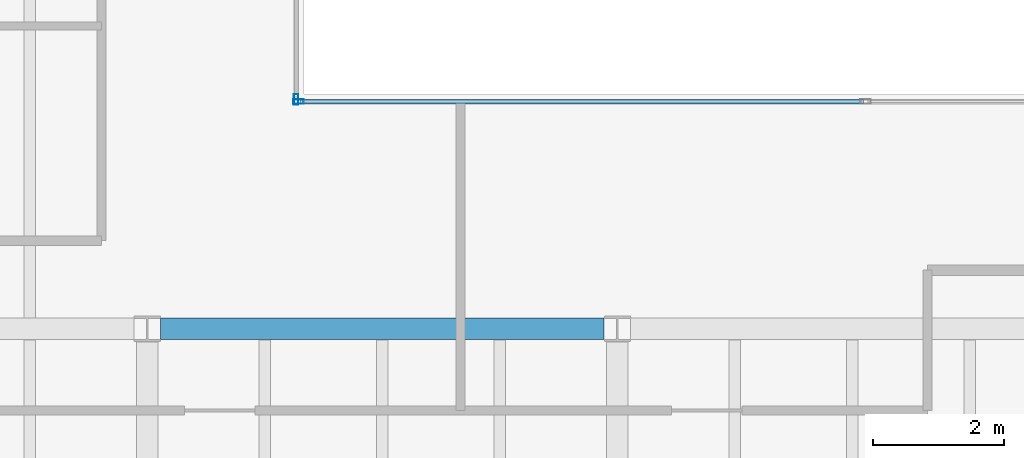
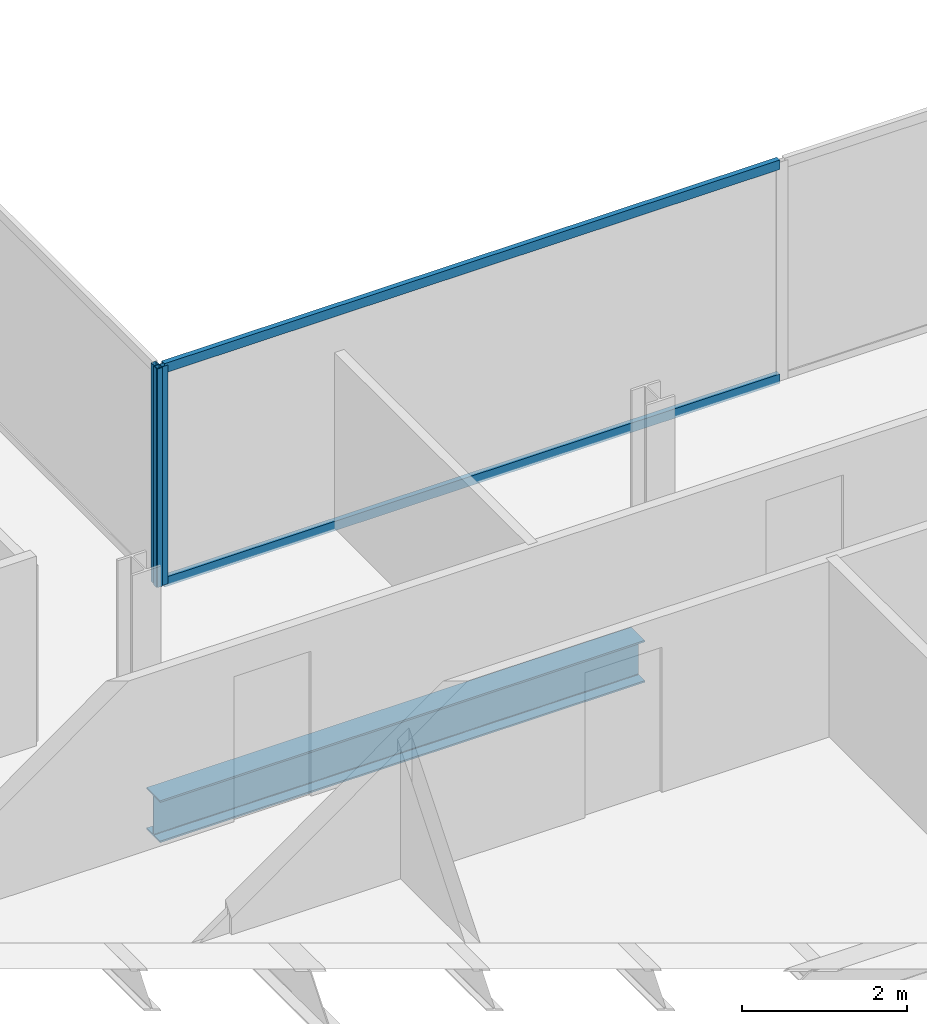
# One storey, part 8 of 23: 4 members, 1 beam, 2 elements without a shape of their own.
"""IFC4 building model written with IfcOpenShell, lengths in metres."""

from ifc_helpers import new_model, si_unit, direction, frame, origin, origin_2d, place, context, subcontext, project, spatial, hollow_rectangle, i_section, extrude, material, material_profile, profile_set, type_object, element, aggregate, save


model = new_model("IFC4")

# Units and contexts
model_context = context("Model", 3, precision=1e-05, world=origin(), true_north=direction((0.0, 1.0)))
body_context = subcontext(model_context, "Body", "Model", "MODEL_VIEW")
ifc_project = project(units=[si_unit("LENGTHUNIT", "METRE"), si_unit("AREAUNIT", "SQUARE_METRE"), si_unit("VOLUMEUNIT", "CUBIC_METRE"), si_unit("PLANEANGLEUNIT", "RADIAN"), si_unit("MASSUNIT", "GRAM", prefix="KILO")], contexts=[model_context])

# Site, building, storey
site_placement = place(None, origin())
site = spatial("IfcSite", under=ifc_project, at=site_placement, CompositionType="ELEMENT")
building_placement = place(site_placement, origin())
building = spatial("IfcBuilding", under=site, at=building_placement, Name="Cobrela Telecom Tower", CompositionType="ELEMENT")
storey_placement = place(building_placement, frame((0.0, 0.0, 194.25)))
storey = spatial("IfcBuildingStorey", under=building, at=storey_placement, Name="L49", CompositionType="ELEMENT", Elevation=194.25)

# Beam
ifc_material_1 = material(Name="Steel ASTM A992 Grade 50", Category="steel")
ifc_material_profile_1 = material_profile(ifc_material_1, i_section(OverallWidth=0.327880859375, OverallDepth=0.6220703125, WebThickness=0.015380859375, FlangeThickness=0.0244140625, FilletRadius=0.014892578125, at=origin_2d()), Name="W24X131")
ifc_profile_set_1 = profile_set([ifc_material_profile_1], Name="Steel ASTM A992 Grade 50")
beam_type = type_object("IfcBeamType", Name="BM-GIRD-06", PredefinedType="USERDEFINED", material=ifc_profile_set_1)
beam_placement = place(storey_placement, frame((21.804443359375, 21.60009765625, -0.571044921875), z_axis=(1.0, 0.0, 0.0), x_axis=(0.0, 1.0, 0.0)))
element("IfcBeam", 1, at=beam_placement, inside=storey, type_object=beam_type, Name="L49 Primary Girder X16", ObjectType="GIRDER", PredefinedType="USERDEFINED", context=body_context, shape_type="SweptSolid", body=[
    extrude(i_section(OverallWidth=0.327880859375, OverallDepth=0.6220703125, WebThickness=0.015380859375, FlangeThickness=0.0244140625, FilletRadius=0.014892578125, at=origin_2d()), origin(), (0.0, 0.0, 1.0), 6.791015625),
])

# Curtain wall, member
ifc_material_2 = material(Name="Anodized Bronze Aluminium 6063-T6", Category="aluminium")
curtain_wall_type = type_object("IfcCurtainWallType", Name="CW-SYS-OFF-LO", PredefinedType="USERDEFINED", material=ifc_material_2)
curtain_wall_1_placement = place(storey_placement, origin())
curtain_wall_1 = element("IfcCurtainWall", 2, at=curtain_wall_1_placement, inside=storey, type_object=curtain_wall_type, Name="L49 Unitised Bronze Curtain Wall 10", ObjectType="UNITISED CURTAIN WALL", PredefinedType="USERDEFINED")
ifc_material_profile_2 = material_profile(ifc_material_2, hollow_rectangle(XDim=0.070068359375, YDim=0.159912109375, WallThickness=0.00390625, at=origin_2d()), Name="ALU 70x160x4")
ifc_profile_set_2 = profile_set([ifc_material_profile_2], Name="Anodized Bronze Aluminium 6063-T6")
member_type_1 = type_object("IfcMemberType", Name="CW-SYS-OFF-LO-MUL", PredefinedType="MULLION", material=ifc_profile_set_2)
member_1_placement = place(storey_placement, frame((23.8798828125, 25.114990234375, 0.0), z_axis=(0.0, 0.0, 1.0), x_axis=(1.0, 0.0, 0.0)))
member_1 = element("IfcMember", 3, at=member_1_placement, type_object=member_type_1, Name="CW-OFF-LO mullion 3", PredefinedType="MULLION", context=body_context, shape_type="SweptSolid", body=[
    extrude(hollow_rectangle(XDim=0.070068359375, YDim=0.159912109375, WallThickness=0.00390625, at=origin_2d()), origin(), (0.0, 0.0, 1.0), 3.239990234375),
])
aggregate(curtain_wall_1, [member_1])

# Curtain wall, members
curtain_wall_2_placement = place(storey_placement, origin())
curtain_wall_2 = element("IfcCurtainWall", 4, at=curtain_wall_2_placement, inside=storey, type_object=curtain_wall_type, Name="L49 Unitised Bronze Curtain Wall 11", ObjectType="UNITISED CURTAIN WALL", PredefinedType="USERDEFINED")
member_2_placement = place(storey_placement, frame((23.9150390625, 25.080078125, 0.0), z_axis=(0.0, 0.0, 1.0), x_axis=(0.0, 1.0, 0.0)))
member_2 = element("IfcMember", 5, at=member_2_placement, type_object=member_type_1, Name="CW-OFF-LO mullion 1", PredefinedType="MULLION", context=body_context, shape_type="SweptSolid", body=[
    extrude(hollow_rectangle(XDim=0.070068359375, YDim=0.159912109375, WallThickness=0.00390625, at=origin_2d()), origin(), (0.0, 0.0, 1.0), 3.239990234375),
])
ifc_material_profile_3 = material_profile(ifc_material_2, hollow_rectangle(XDim=0.070068359375, YDim=0.139892578125, WallThickness=0.00390625, at=origin_2d()), Name="ALU 70x140x4")
ifc_profile_set_3 = profile_set([ifc_material_profile_3], Name="Anodized Bronze Aluminium 6063-T6")
member_type_2 = type_object("IfcMemberType", Name="CW-SYS-OFF-LO-TRN", PredefinedType="USERDEFINED", material=ifc_profile_set_3)
member_3_placement = place(storey_placement, frame((23.949951171875, 25.080078125, 0.034912109375), z_axis=(1.0, 0.0, 0.0), x_axis=(0.0, 1.0, 0.0)))
member_3 = element("IfcMember", 6, at=member_3_placement, type_object=member_type_2, Name="CW-OFF-LO transom 1.1", ObjectType="TRANSOM", PredefinedType="USERDEFINED", context=body_context, shape_type="SweptSolid", body=[
    extrude(hollow_rectangle(XDim=0.070068359375, YDim=0.139892578125, WallThickness=0.00390625, at=origin_2d()), origin(), (0.0, 0.0, 1.0), 8.6201171875),
])
member_4_placement = place(storey_placement, frame((23.949951171875, 25.080078125, 3.205078125), z_axis=(1.0, 0.0, 0.0), x_axis=(0.0, 1.0, 0.0)))
member_4 = element("IfcMember", 7, at=member_4_placement, type_object=member_type_2, Name="CW-OFF-LO transom 1.2", ObjectType="TRANSOM", PredefinedType="USERDEFINED", context=body_context, shape_type="SweptSolid", body=[
    extrude(hollow_rectangle(XDim=0.070068359375, YDim=0.139892578125, WallThickness=0.00390625, at=origin_2d()), origin(), (0.0, 0.0, 1.0), 8.6201171875),
])
aggregate(curtain_wall_2, [member_2, member_3, member_4])

save(model, "model.ifc")
